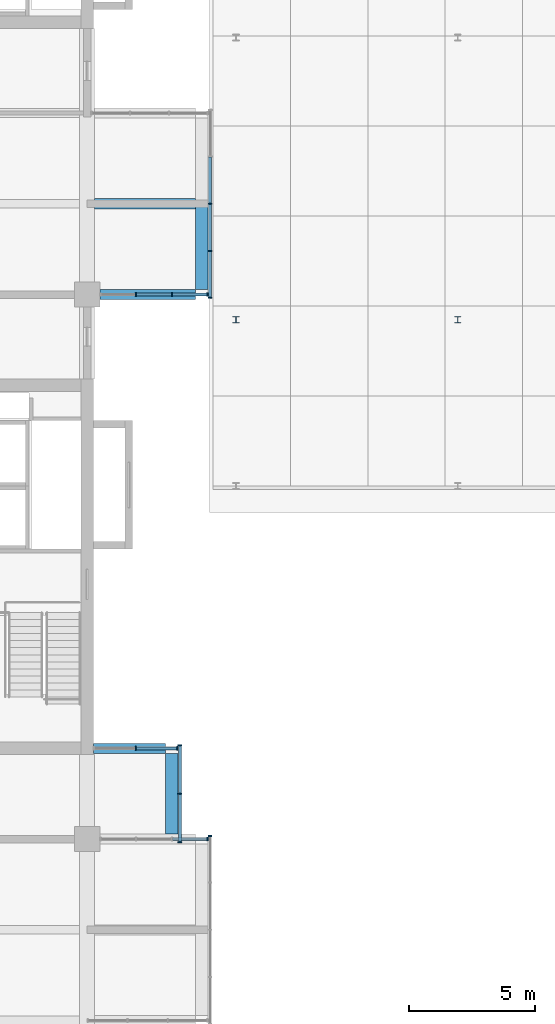
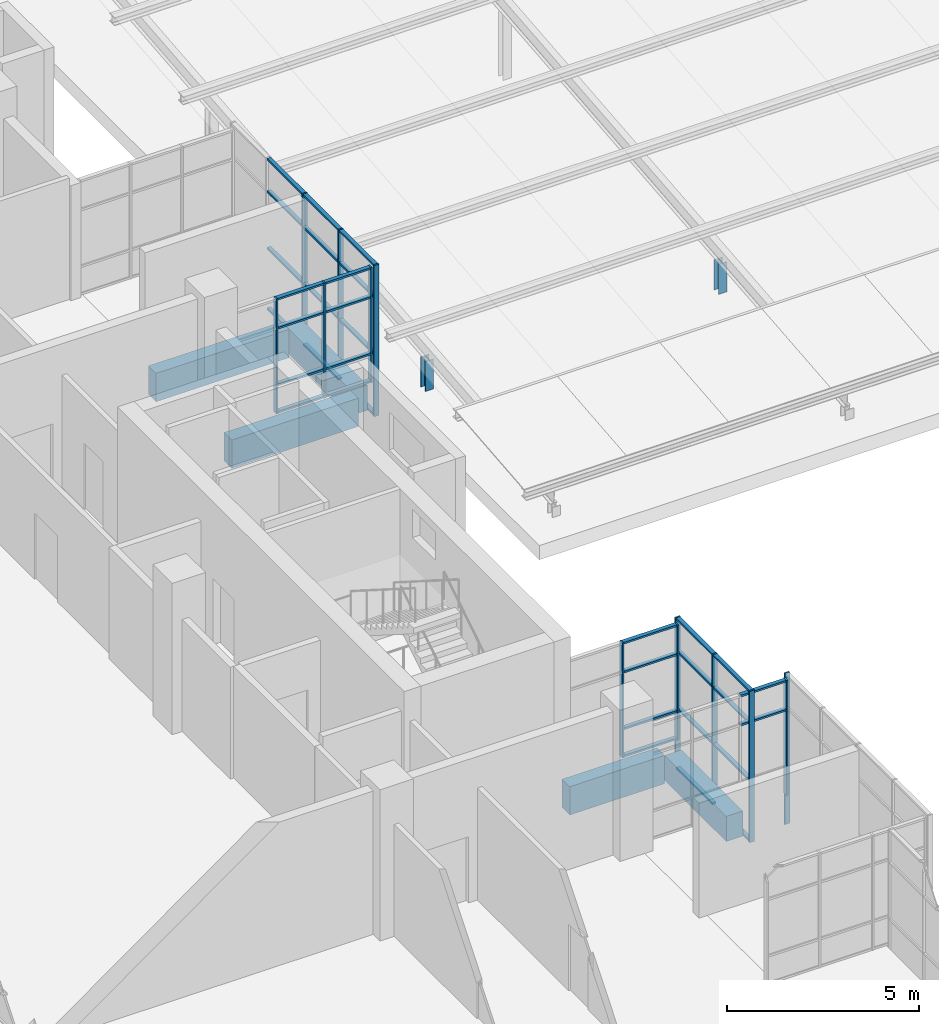
# One storey, part 14 of 44: 49 members, 5 beams, 6 elements without a shape of their own.
"""IFC4 building model written with IfcOpenShell, lengths in metres."""

import ifcopenshell
import ifcopenshell.guid

model = None  # the IFC model being written
_history = None  # IfcOwnerHistory: only IFC2X3 demands one
_inside = {}  # id of a spatial element -> (the spatial element, [elements in it])
_under = {}  # id of a project, library or spatial element -> (it, [spatial elements below it])
_declared = {}  # id of a project -> (the project, [libraries it declares])
_typed = {}  # id of a type object -> (the type object, [elements of that type])
_made_of = {}  # id of a material, layer set ... -> (it, [elements and type objects made of it])


def new_model(schema):
    """Start an empty IFC model of exactly this schema.

    Asked for "IFC4X3", IfcOpenShell would pick the latest addendum, in which some entities
    have other attributes; the version numbers below select the first issue.
    IFC2X3 requires an IfcOwnerHistory on every rooted entity: one is made here for all.
    """
    global model, _history
    if schema == "IFC4X3":
        model = ifcopenshell.file(schema_version=(4, 3, 0, 0))
    else:
        model = ifcopenshell.file(schema=schema)
    _inside.clear()
    _under.clear()
    _declared.clear()
    _typed.clear()
    _made_of.clear()
    _history = None
    if model.schema == "IFC2X3":
        org = make("IfcOrganization", Name="unknown")
        user = make(
            "IfcPersonAndOrganization",
            ThePerson=make("IfcPerson", FamilyName="unknown"),
            TheOrganization=org,
        )
        app = make(
            "IfcApplication",
            ApplicationDeveloper=org,
            Version="unknown",
            ApplicationFullName="unknown",
            ApplicationIdentifier="unknown",
        )
        _history = make(
            "IfcOwnerHistory",
            OwningUser=user,
            OwningApplication=app,
            ChangeAction="ADDED",
            CreationDate=0,
        )
    return model


def make(cls, **values):
    """One entity of the class cls with the attributes given. An attribute that is None is left unset."""
    return model.create_entity(
        cls, **{name: value for name, value in values.items() if value is not None}
    )


def rooted(cls, **values):
    """An entity with a GlobalId (a new one), such as an element, a storey or a relation."""
    return make(cls, GlobalId=ifcopenshell.guid.new(), OwnerHistory=_history, **values)


def si_unit(unit_type, name, prefix=None):
    """IfcSIUnit, for example si_unit("LENGTHUNIT", "METRE", prefix="MILLI")."""
    return make("IfcSIUnit", UnitType=unit_type, Prefix=prefix, Name=name)


def assignment(units):
    """IfcUnitAssignment: the units of a project."""
    return None if units is None else make("IfcUnitAssignment", Units=units)


def point(xyz):
    """IfcCartesianPoint."""
    return None if xyz is None else make("IfcCartesianPoint", Coordinates=xyz)


def direction(xyz):
    """IfcDirection."""
    return None if xyz is None else make("IfcDirection", DirectionRatios=xyz)


def frame(location, z_axis=None, x_axis=None):
    """IfcAxis2Placement3D, a coordinate frame: its origin and axes. An axis left out is left unset."""
    return make(
        "IfcAxis2Placement3D",
        Location=point(location),
        Axis=direction(z_axis),
        RefDirection=direction(x_axis),
    )


def frame_2d(location, x_axis=None):
    """IfcAxis2Placement2D, a coordinate frame in the plane: its origin and x axis."""
    return make(
        "IfcAxis2Placement2D", Location=point(location), RefDirection=direction(x_axis)
    )


def origin():
    """The frame at (0, 0, 0) with its axes left unset."""
    return frame((0.0, 0.0, 0.0))


def origin_2d():
    """The frame at (0, 0) in the plane with its x axis left unset."""
    return frame_2d((0.0, 0.0))


def place(relative_to, where):
    """IfcLocalPlacement: puts the frame where relative to a parent placement (None: the world)."""
    return make(
        "IfcLocalPlacement", PlacementRelTo=relative_to, RelativePlacement=where
    )


def context(
    kind, dimensions, precision=None, world=None, true_north=None, identifier=None
):
    """IfcGeometricRepresentationContext, for example the 3D "Model" context."""
    return make(
        "IfcGeometricRepresentationContext",
        ContextIdentifier=identifier,
        ContextType=kind,
        CoordinateSpaceDimension=dimensions,
        Precision=precision,
        WorldCoordinateSystem=world,
        TrueNorth=true_north,
    )


def subcontext(parent, identifier, kind, view, scale=None):
    """IfcGeometricRepresentationSubContext, for example "Body" below "Model"."""
    return make(
        "IfcGeometricRepresentationSubContext",
        ContextIdentifier=identifier,
        ContextType=kind,
        ParentContext=parent,
        TargetScale=scale,
        TargetView=view,
    )


def project(units=None, contexts=None):
    """IfcProject with its units and contexts."""
    return rooted(
        "IfcProject",
        Name="project",
        RepresentationContexts=contexts,
        UnitsInContext=assignment(units),
    )


def spatial(cls, under=None, at=None, **own):
    """A site, building, storey or space (cls), placed at a placement, below another one or the project."""
    s = rooted(cls, ObjectPlacement=at, **own)
    if under is not None:
        _under.setdefault(under.id(), (under, []))[1].append(s)
    return s


def profile(cls, at=None, kind="AREA", **sizes):
    """A parametric profile (cls). Its sizes go by their IFC names, for example OverallWidth=200.0."""
    return make(cls, ProfileType=kind, Position=at, **sizes)


def rectangle(**sizes):
    """IfcRectangleProfileDef."""
    return profile("IfcRectangleProfileDef", **sizes)


def i_section(**sizes):
    """IfcIShapeProfileDef."""
    return profile("IfcIShapeProfileDef", **sizes)


def extrude(swept, where, along, depth):
    """IfcExtrudedAreaSolid: the profile swept, set in the frame where, extruded along a direction by depth."""
    return make(
        "IfcExtrudedAreaSolid",
        SweptArea=swept,
        Position=where,
        ExtrudedDirection=direction(along),
        Depth=depth,
    )


def shape(context_of_items, identifier, shape_type, items):
    """IfcShapeRepresentation: the items that make up one representation, for example the "Body"."""
    return make(
        "IfcShapeRepresentation",
        ContextOfItems=context_of_items,
        RepresentationIdentifier=identifier,
        RepresentationType=shape_type,
        Items=items,
    )


def material(Name=None, Category=None):
    """IfcMaterial."""
    return make("IfcMaterial", Name=Name, Category=Category)


def layer(
    of_material, thickness, ventilated=None, Name=None, Category=None, Priority=None
):
    """IfcMaterialLayer: one layer of a wall or slab, of a material (None: an air gap)."""
    return make(
        "IfcMaterialLayer",
        Material=of_material,
        LayerThickness=thickness,
        IsVentilated=ventilated,
        Name=Name,
        Category=Category,
        Priority=Priority,
    )


def layer_set(layers, Name=None):
    """IfcMaterialLayerSet."""
    return make("IfcMaterialLayerSet", MaterialLayers=layers, LayerSetName=Name)


def material_profile(
    of_material, cross_section, Name=None, Category=None, Priority=None
):
    """IfcMaterialProfile: a cross section and its material."""
    return make(
        "IfcMaterialProfile",
        Name=Name,
        Material=of_material,
        Profile=cross_section,
        Priority=Priority,
        Category=Category,
    )


def profile_set(profiles, Name=None, composite=None):
    """IfcMaterialProfileSet."""
    return make(
        "IfcMaterialProfileSet",
        Name=Name,
        MaterialProfiles=profiles,
        CompositeProfile=composite,
    )


def made_of(thing, what):
    """Note that an element or type object is made of a material, layer set ...; save() writes the relation."""
    if what is not None:
        _made_of.setdefault(what.id(), (what, []))[1].append(thing)
    return thing


def type_object(cls, material=None, **own):
    """A type object (cls), such as IfcWallType, which elements share."""
    return made_of(rooted(cls, **own), material)


def element(
    cls,
    number,
    at=None,
    inside=None,
    cuts=None,
    type_object=None,
    material=None,
    context=None,
    identifier="Body",
    shape_type=None,
    held_by="IfcProductDefinitionShape",
    body=None,
    shapes=None,
    **own,
):
    """One element of the class cls, such as IfcWall. Its Tag is "e" and its number.

    at: its placement. inside: the storey or other place that contains it. cuts: it is an
    opening in that element (IfcRelVoidsElement). A single representation is given by context,
    identifier, shape_type and body (its items); several are given by shapes. held_by: the class
    of the entity that holds the representations. save() writes the other relations.
    """
    e = rooted(cls, Tag="e%d" % number, ObjectPlacement=at, **own)
    if body is not None:
        shapes = [shape(context, identifier, shape_type, body)]
    if shapes is not None:
        e.Representation = make(held_by, Representations=shapes)
    if inside is not None:
        _inside.setdefault(inside.id(), (inside, []))[1].append(e)
    if cuts is not None:
        rooted(
            "IfcRelVoidsElement", RelatingBuildingElement=cuts, RelatedOpeningElement=e
        )
    if type_object is not None:
        _typed.setdefault(type_object.id(), (type_object, []))[1].append(e)
    return made_of(e, material)


def aggregate(whole, parts):
    """IfcRelAggregates: a whole, such as a stair, and the parts it consists of."""
    return rooted("IfcRelAggregates", RelatingObject=whole, RelatedObjects=parts)


def save(model, path):
    """Write the relations noted so far, then the file.

    IfcRelAggregates (storeys below a building ...), IfcRelContainedInSpatialStructure (elements
    in a storey), IfcRelDefinesByType, IfcRelAssociatesMaterial and IfcRelDeclares: one each for
    every whole, place, type object, material and project.
    """
    for whole, parts in _under.values():
        aggregate(whole, parts)
    for where, things in _inside.values():
        rooted(
            "IfcRelContainedInSpatialStructure",
            RelatedElements=things,
            RelatingStructure=where,
        )
    for kind, things in _typed.values():
        rooted("IfcRelDefinesByType", RelatedObjects=things, RelatingType=kind)
    for what, things in _made_of.values():
        rooted("IfcRelAssociatesMaterial", RelatedObjects=things, RelatingMaterial=what)
    for by, libraries in _declared.values():
        rooted("IfcRelDeclares", RelatingContext=by, RelatedDefinitions=libraries)
    model.write(path)


model = new_model("IFC4")

# Units and contexts
model_context = context("Model", 3, precision=1e-05, world=origin(), true_north=direction((0.0, 1.0)))
body_context = subcontext(model_context, "Body", "Model", "MODEL_VIEW")
ifc_project = project(units=[si_unit("LENGTHUNIT", "METRE"), si_unit("AREAUNIT", "SQUARE_METRE"), si_unit("VOLUMEUNIT", "CUBIC_METRE"), si_unit("PLANEANGLEUNIT", "RADIAN"), si_unit("MASSUNIT", "GRAM", prefix="KILO")], contexts=[model_context])

# Site, building, storey
site_placement = place(None, origin())
site = spatial("IfcSite", under=ifc_project, at=site_placement, CompositionType="ELEMENT")
building_placement = place(site_placement, origin())
building = spatial("IfcBuilding", under=site, at=building_placement, Name="Basin Gate Institute", CompositionType="ELEMENT")
storey_placement = place(building_placement, frame((0.0, 0.0, 27.0)))
storey = spatial("IfcBuildingStorey", under=building, at=storey_placement, Name="L05", CompositionType="ELEMENT", Elevation=27.0)

# Beams
ifc_material_1 = material(Name="Concrete 50 MPa", Category="concrete")
ifc_material_profile_1 = material_profile(ifc_material_1, rectangle(XDim=0.39990234375, YDim=0.89990234375, at=origin_2d()), Name="Cantilever beam B3 400 x 900")
ifc_profile_set_1 = profile_set([ifc_material_profile_1], Name="Concrete 50 MPa")
beam_type_1 = type_object("IfcBeamType", Name="Cantilever beam B3 R120", PredefinedType="BEAM", material=ifc_profile_set_1)
beam_1_placement = place(storey_placement, frame((121.89990234375, 60.300048828125, -0.699951171875), z_axis=(-1.0, 0.0, 0.0), x_axis=(0.0, -1.0, 0.0)))
element("IfcBeam", 1, at=beam_1_placement, inside=storey, type_object=beam_type_1, material=ifc_profile_set_1, Name="BEAM/L05/E/CANT/08", PredefinedType="BEAM", context=body_context, shape_type="SweptSolid", body=[
    extrude(rectangle(XDim=0.39990234375, YDim=0.89990234375, at=origin_2d()), origin(), (0.0, 0.0, 1.0), 2.849853515625),
])
beam_2_placement = place(storey_placement, frame((123.10009765625, 78.300048828125, -0.699951171875), z_axis=(-1.0, 0.0, 0.0), x_axis=(0.0, -1.0, 0.0)))
element("IfcBeam", 2, at=beam_2_placement, inside=storey, type_object=beam_type_1, material=ifc_profile_set_1, Name="BEAM/L05/E/CANT/13", PredefinedType="BEAM", context=body_context, shape_type="SweptSolid", body=[
    extrude(rectangle(XDim=0.39990234375, YDim=0.89990234375, at=origin_2d()), origin(), (0.0, 0.0, 1.0), 3.800048828125),
])
beam_3_placement = place(storey_placement, frame((123.10009765625, 81.89990234375, -0.699951171875), z_axis=(-1.0, 0.0, 0.0), x_axis=(0.0, -1.0, 0.0)))
element("IfcBeam", 3, at=beam_3_placement, inside=storey, type_object=beam_type_1, material=ifc_profile_set_1, Name="BEAM/L05/E/CANT/14", PredefinedType="BEAM", context=body_context, shape_type="SweptSolid", body=[
    extrude(rectangle(XDim=0.39990234375, YDim=0.89990234375, at=origin_2d()), origin(), (0.0, 0.0, 1.0), 4.0),
])

# Curtain wall, member
ifc_material_2 = material(Name="Aluminium-framed glazing", Category="aluminium")
ifc_layer = layer(ifc_material_2, 0.14990234375)
ifc_layer_set = layer_set([ifc_layer], Name="Capsule front curtain wall CW1")
curtain_wall_type = type_object("IfcCurtainWallType", Name="Capsule front curtain wall CW1", PredefinedType="NOTDEFINED", material=ifc_layer_set)
curtain_wall_1_placement = place(storey_placement, origin())
curtain_wall_1 = element("IfcCurtainWall", 4, at=curtain_wall_1_placement, inside=storey, type_object=curtain_wall_type, material=ifc_layer_set, Name="Capsule front curtain wall E wing capsule end L05 line 7", PredefinedType="NOTDEFINED")
ifc_material_3 = material(Name="Aluminium", Category="aluminium")
ifc_material_profile_2 = material_profile(ifc_material_3, rectangle(XDim=0.14990234375, YDim=0.050048828125, at=origin_2d()), Name="Mullion MU1 150 x 50")
ifc_profile_set_2 = profile_set([ifc_material_profile_2], Name="Aluminium")
member_type_1 = type_object("IfcMemberType", Name="Mullion MU1", PredefinedType="MULLION", material=ifc_profile_set_2)
member_1_placement = place(storey_placement, frame((123.574951171875, 56.699951171875, 0.0), z_axis=(0.0, 0.0, 1.0), x_axis=(0.0, -1.0, 0.0)))
member_1 = element("IfcMember", 5, at=member_1_placement, type_object=member_type_1, material=ifc_profile_set_2, Name="CW1 mullion 1", PredefinedType="MULLION", context=body_context, shape_type="SweptSolid", body=[
    extrude(rectangle(XDim=0.14990234375, YDim=0.050048828125, at=origin_2d()), origin(), (0.0, 0.0, 1.0), 3.64990234375),
])

# Curtain wall, members
curtain_wall_2_placement = place(storey_placement, origin())
curtain_wall_2 = element("IfcCurtainWall", 6, at=curtain_wall_2_placement, inside=storey, type_object=curtain_wall_type, material=ifc_layer_set, Name="Capsule front curtain wall E wing capsule end L05 line 8", PredefinedType="NOTDEFINED")
member_2_placement = place(storey_placement, frame((122.375, 60.300048828125, 0.0), z_axis=(0.0, 0.0, 1.0), x_axis=(0.0, -1.0, 0.0)))
member_2 = element("IfcMember", 7, at=member_2_placement, type_object=member_type_1, material=ifc_profile_set_2, Name="CW1 mullion 1", PredefinedType="MULLION", context=body_context, shape_type="SweptSolid", body=[
    extrude(rectangle(XDim=0.14990234375, YDim=0.050048828125, at=origin_2d()), origin(), (0.0, 0.0, 1.0), 3.64990234375),
])
member_3_placement = place(storey_placement, frame((120.72509765625, 60.300048828125, 0.0), z_axis=(0.0, 0.0, 1.0), x_axis=(0.0, -1.0, 0.0)))
member_3 = element("IfcMember", 8, at=member_3_placement, type_object=member_type_1, material=ifc_profile_set_2, Name="CW1 mullion 2", PredefinedType="MULLION", context=body_context, shape_type="SweptSolid", body=[
    extrude(rectangle(XDim=0.14990234375, YDim=0.050048828125, at=origin_2d()), origin(), (0.0, 0.0, 1.0), 3.64990234375),
])

curtain_wall_3_placement = place(storey_placement, origin())
curtain_wall_3 = element("IfcCurtainWall", 9, at=curtain_wall_3_placement, inside=storey, type_object=curtain_wall_type, material=ifc_layer_set, Name="Capsule front curtain wall E wing capsule end L05 line 13", PredefinedType="NOTDEFINED")
member_4_placement = place(storey_placement, frame((123.574951171875, 78.300048828125, 0.0), z_axis=(0.0, 0.0, 1.0), x_axis=(0.0, -1.0, 0.0)))
member_4 = element("IfcMember", 10, at=member_4_placement, type_object=member_type_1, material=ifc_profile_set_2, Name="CW1 mullion 1", PredefinedType="MULLION", context=body_context, shape_type="SweptSolid", body=[
    extrude(rectangle(XDim=0.14990234375, YDim=0.050048828125, at=origin_2d()), origin(), (0.0, 0.0, 1.0), 3.64990234375),
])
member_5_placement = place(storey_placement, frame((122.166748046875, 78.300048828125, 0.0), z_axis=(0.0, 0.0, 1.0), x_axis=(0.0, -1.0, 0.0)))
member_5 = element("IfcMember", 11, at=member_5_placement, type_object=member_type_1, material=ifc_profile_set_2, Name="CW1 mullion 2", PredefinedType="MULLION", context=body_context, shape_type="SweptSolid", body=[
    extrude(rectangle(XDim=0.14990234375, YDim=0.050048828125, at=origin_2d()), origin(), (0.0, 0.0, 1.0), 3.64990234375),
])
member_6_placement = place(storey_placement, frame((120.7333984375, 78.300048828125, 0.0), z_axis=(0.0, 0.0, 1.0), x_axis=(0.0, -1.0, 0.0)))
member_6 = element("IfcMember", 12, at=member_6_placement, type_object=member_type_1, material=ifc_profile_set_2, Name="CW1 mullion 3", PredefinedType="MULLION", context=body_context, shape_type="SweptSolid", body=[
    extrude(rectangle(XDim=0.14990234375, YDim=0.050048828125, at=origin_2d()), origin(), (0.0, 0.0, 1.0), 3.64990234375),
])

# Curtain wall, member
curtain_wall_4_placement = place(storey_placement, origin())
curtain_wall_4 = element("IfcCurtainWall", 13, at=curtain_wall_4_placement, inside=storey, type_object=curtain_wall_type, material=ifc_layer_set, Name="Capsule front curtain wall E wing capsule 1 L05 front 2", PredefinedType="NOTDEFINED")
member_7_placement = place(storey_placement, frame((123.675048828125, 56.824951171875, -1.050048828125), z_axis=(0.0, 0.0, 1.0), x_axis=(-1.0, 0.0, 0.0)))
member_7 = element("IfcMember", 14, at=member_7_placement, type_object=member_type_1, material=ifc_profile_set_2, Name="CW1 mullion 5", PredefinedType="MULLION", context=body_context, shape_type="SweptSolid", body=[
    extrude(rectangle(XDim=0.14990234375, YDim=0.050048828125, at=origin_2d()), origin(), (0.0, 0.0, 1.0), 4.800048828125),
])
aggregate(curtain_wall_4, [member_7])

# Curtain wall, members
curtain_wall_5_placement = place(storey_placement, origin())
curtain_wall_5 = element("IfcCurtainWall", 15, at=curtain_wall_5_placement, inside=storey, type_object=curtain_wall_type, material=ifc_layer_set, Name="Capsule front curtain wall E wing capsule 1 L05 front 4", PredefinedType="NOTDEFINED")
member_8_placement = place(storey_placement, frame((122.47509765625, 56.574951171875, -1.050048828125), z_axis=(0.0, 0.0, 1.0), x_axis=(-1.0, 0.0, 0.0)))
member_8 = element("IfcMember", 16, at=member_8_placement, type_object=member_type_1, material=ifc_profile_set_2, Name="CW1 mullion 1", PredefinedType="MULLION", context=body_context, shape_type="SweptSolid", body=[
    extrude(rectangle(XDim=0.14990234375, YDim=0.050048828125, at=origin_2d()), origin(), (0.0, 0.0, 1.0), 4.800048828125),
])
member_9_placement = place(storey_placement, frame((122.47509765625, 58.5, -1.050048828125), z_axis=(0.0, 0.0, 1.0), x_axis=(-1.0, 0.0, 0.0)))
member_9 = element("IfcMember", 17, at=member_9_placement, type_object=member_type_1, material=ifc_profile_set_2, Name="CW1 mullion 2", PredefinedType="MULLION", context=body_context, shape_type="SweptSolid", body=[
    extrude(rectangle(XDim=0.14990234375, YDim=0.050048828125, at=origin_2d()), origin(), (0.0, 0.0, 1.0), 4.800048828125),
])
member_10_placement = place(storey_placement, frame((122.47509765625, 60.425048828125, -1.050048828125), z_axis=(0.0, 0.0, 1.0), x_axis=(-1.0, 0.0, 0.0)))
member_10 = element("IfcMember", 18, at=member_10_placement, type_object=member_type_1, material=ifc_profile_set_2, Name="CW1 mullion 3", PredefinedType="MULLION", context=body_context, shape_type="SweptSolid", body=[
    extrude(rectangle(XDim=0.14990234375, YDim=0.050048828125, at=origin_2d()), origin(), (0.0, 0.0, 1.0), 4.800048828125),
])

curtain_wall_6_placement = place(storey_placement, origin())
curtain_wall_6 = element("IfcCurtainWall", 19, at=curtain_wall_6_placement, inside=storey, type_object=curtain_wall_type, material=ifc_layer_set, Name="Capsule front curtain wall E wing capsule 2 L05 front 2", PredefinedType="NOTDEFINED")
member_11_placement = place(storey_placement, frame((123.675048828125, 78.175048828125, -1.050048828125), z_axis=(0.0, 0.0, 1.0), x_axis=(-1.0, 0.0, 0.0)))
member_11 = element("IfcMember", 20, at=member_11_placement, type_object=member_type_1, material=ifc_profile_set_2, Name="CW1 mullion 1", PredefinedType="MULLION", context=body_context, shape_type="SweptSolid", body=[
    extrude(rectangle(XDim=0.14990234375, YDim=0.050048828125, at=origin_2d()), origin(), (0.0, 0.0, 1.0), 4.800048828125),
])
member_12_placement = place(storey_placement, frame((123.675048828125, 80.02490234375, -1.050048828125), z_axis=(0.0, 0.0, 1.0), x_axis=(-1.0, 0.0, 0.0)))
member_12 = element("IfcMember", 21, at=member_12_placement, type_object=member_type_1, material=ifc_profile_set_2, Name="CW1 mullion 2", PredefinedType="MULLION", context=body_context, shape_type="SweptSolid", body=[
    extrude(rectangle(XDim=0.14990234375, YDim=0.050048828125, at=origin_2d()), origin(), (0.0, 0.0, 1.0), 4.800048828125),
])
member_13_placement = place(storey_placement, frame((123.675048828125, 81.89990234375, -1.050048828125), z_axis=(0.0, 0.0, 1.0), x_axis=(-1.0, 0.0, 0.0)))
member_13 = element("IfcMember", 22, at=member_13_placement, type_object=member_type_1, material=ifc_profile_set_2, Name="CW1 mullion 3", PredefinedType="MULLION", context=body_context, shape_type="SweptSolid", body=[
    extrude(rectangle(XDim=0.14990234375, YDim=0.050048828125, at=origin_2d()), origin(), (0.0, 0.0, 1.0), 4.800048828125),
])

# Beams
ifc_material_4 = material(Name="Concrete 50 MPa", Category="concrete")
ifc_material_profile_3 = material_profile(ifc_material_4, rectangle(XDim=0.5, YDim=0.800048828125, at=origin_2d()), Name="Tip beam TB1 500 x 800")
ifc_profile_set_3 = profile_set([ifc_material_profile_3], Name="Concrete 50 MPa")
beam_type_2 = type_object("IfcBeamType", Name="Tip beam TB1 R120", PredefinedType="SPANDREL", material=ifc_profile_set_3)
beam_4_placement = place(storey_placement, frame((122.14990234375, 56.89990234375, -0.64990234375), z_axis=(0.0, 1.0, 0.0), x_axis=(-1.0, 0.0, 0.0)))
element("IfcBeam", 23, at=beam_4_placement, inside=storey, type_object=beam_type_2, material=ifc_profile_set_3, Name="BEAM/L05/E/TIP/4", PredefinedType="SPANDREL", context=body_context, shape_type="SweptSolid", body=[
    extrude(rectangle(XDim=0.5, YDim=0.800048828125, at=origin_2d()), origin(), (0.0, 0.0, 1.0), 3.2001953125),
])
beam_5_placement = place(storey_placement, frame((123.35009765625, 78.5, -0.64990234375), z_axis=(0.0, 1.0, 0.0), x_axis=(-1.0, 0.0, 0.0)))
element("IfcBeam", 24, at=beam_5_placement, inside=storey, type_object=beam_type_2, material=ifc_profile_set_3, Name="BEAM/L05/E/TIP/6", PredefinedType="SPANDREL", context=body_context, shape_type="SweptSolid", body=[
    extrude(rectangle(XDim=0.5, YDim=0.800048828125, at=origin_2d()), origin(), (0.0, 0.0, 1.0), 3.39990234375),
])

# Member
ifc_material_5 = material(Name="Aluminium", Category="aluminium")
ifc_material_profile_4 = material_profile(ifc_material_5, rectangle(XDim=0.1201171875, YDim=0.06005859375, at=origin_2d()), Name="Transom TR1 120 x 60")
ifc_profile_set_4 = profile_set([ifc_material_profile_4], Name="Aluminium")
member_type_2 = type_object("IfcMemberType", Name="Transom TR1", PredefinedType="USERDEFINED", material=ifc_profile_set_4)
member_14_placement = place(storey_placement, frame((123.550048828125, 56.699951171875, 2.699951171875), z_axis=(-1.0, 0.0, 0.0), x_axis=(0.0, -1.0, 0.0)))
member_14 = element("IfcMember", 25, at=member_14_placement, type_object=member_type_2, material=ifc_profile_set_4, Name="CW1 transom 1.3", ObjectType="TRANSOM", PredefinedType="USERDEFINED", context=body_context, shape_type="SweptSolid", body=[
    extrude(rectangle(XDim=0.1201171875, YDim=0.06005859375, at=origin_2d()), origin(), (0.0, 0.0, 1.0), 1.3583984375),
])

member_15_placement = place(storey_placement, frame((123.550048828125, 56.699951171875, 3.6201171875), z_axis=(-1.0, 0.0, 0.0), x_axis=(0.0, -1.0, 0.0)))
member_15 = element("IfcMember", 26, at=member_15_placement, type_object=member_type_2, material=ifc_profile_set_4, Name="CW1 transom 1.4", ObjectType="TRANSOM", PredefinedType="USERDEFINED", context=body_context, shape_type="SweptSolid", body=[
    extrude(rectangle(XDim=0.1201171875, YDim=0.06005859375, at=origin_2d()), origin(), (0.0, 0.0, 1.0), 1.3583984375),
])

aggregate(curtain_wall_1, [member_1, member_14, member_15])

member_16_placement = place(storey_placement, frame((122.35009765625, 60.300048828125, 0.030029296875), z_axis=(-1.0, 0.0, 0.0), x_axis=(0.0, -1.0, 0.0)))
member_16 = element("IfcMember", 27, at=member_16_placement, type_object=member_type_2, material=ifc_profile_set_4, Name="CW1 transom 1.1", ObjectType="TRANSOM", PredefinedType="USERDEFINED", context=body_context, shape_type="SweptSolid", body=[
    extrude(rectangle(XDim=0.1201171875, YDim=0.06005859375, at=origin_2d()), origin(), (0.0, 0.0, 1.0), 1.60009765625),
])

member_17_placement = place(storey_placement, frame((122.35009765625, 60.300048828125, 0.89990234375), z_axis=(-1.0, 0.0, 0.0), x_axis=(0.0, -1.0, 0.0)))
member_17 = element("IfcMember", 28, at=member_17_placement, type_object=member_type_2, material=ifc_profile_set_4, Name="CW1 transom 1.2", ObjectType="TRANSOM", PredefinedType="USERDEFINED", context=body_context, shape_type="SweptSolid", body=[
    extrude(rectangle(XDim=0.1201171875, YDim=0.06005859375, at=origin_2d()), origin(), (0.0, 0.0, 1.0), 1.60009765625),
])

member_18_placement = place(storey_placement, frame((122.35009765625, 60.300048828125, 2.699951171875), z_axis=(-1.0, 0.0, 0.0), x_axis=(0.0, -1.0, 0.0)))
member_18 = element("IfcMember", 29, at=member_18_placement, type_object=member_type_2, material=ifc_profile_set_4, Name="CW1 transom 1.3", ObjectType="TRANSOM", PredefinedType="USERDEFINED", context=body_context, shape_type="SweptSolid", body=[
    extrude(rectangle(XDim=0.1201171875, YDim=0.06005859375, at=origin_2d()), origin(), (0.0, 0.0, 1.0), 1.60009765625),
])

member_19_placement = place(storey_placement, frame((122.35009765625, 60.300048828125, 3.6201171875), z_axis=(-1.0, 0.0, 0.0), x_axis=(0.0, -1.0, 0.0)))
member_19 = element("IfcMember", 30, at=member_19_placement, type_object=member_type_2, material=ifc_profile_set_4, Name="CW1 transom 1.4", ObjectType="TRANSOM", PredefinedType="USERDEFINED", context=body_context, shape_type="SweptSolid", body=[
    extrude(rectangle(XDim=0.1201171875, YDim=0.06005859375, at=origin_2d()), origin(), (0.0, 0.0, 1.0), 1.60009765625),
])

aggregate(curtain_wall_2, [member_2, member_3, member_16, member_17, member_18, member_19])

member_20_placement = place(storey_placement, frame((123.550048828125, 78.300048828125, 0.030029296875), z_axis=(-1.0, 0.0, 0.0), x_axis=(0.0, -1.0, 0.0)))
member_20 = element("IfcMember", 31, at=member_20_placement, type_object=member_type_2, material=ifc_profile_set_4, Name="CW1 transom 1.1", ObjectType="TRANSOM", PredefinedType="USERDEFINED", context=body_context, shape_type="SweptSolid", body=[
    extrude(rectangle(XDim=0.1201171875, YDim=0.06005859375, at=origin_2d()), origin(), (0.0, 0.0, 1.0), 1.3583984375),
])

member_21_placement = place(storey_placement, frame((123.550048828125, 78.300048828125, 0.89990234375), z_axis=(-1.0, 0.0, 0.0), x_axis=(0.0, -1.0, 0.0)))
member_21 = element("IfcMember", 32, at=member_21_placement, type_object=member_type_2, material=ifc_profile_set_4, Name="CW1 transom 1.2", ObjectType="TRANSOM", PredefinedType="USERDEFINED", context=body_context, shape_type="SweptSolid", body=[
    extrude(rectangle(XDim=0.1201171875, YDim=0.06005859375, at=origin_2d()), origin(), (0.0, 0.0, 1.0), 1.3583984375),
])

member_22_placement = place(storey_placement, frame((123.550048828125, 78.300048828125, 2.699951171875), z_axis=(-1.0, 0.0, 0.0), x_axis=(0.0, -1.0, 0.0)))
member_22 = element("IfcMember", 33, at=member_22_placement, type_object=member_type_2, material=ifc_profile_set_4, Name="CW1 transom 1.3", ObjectType="TRANSOM", PredefinedType="USERDEFINED", context=body_context, shape_type="SweptSolid", body=[
    extrude(rectangle(XDim=0.1201171875, YDim=0.06005859375, at=origin_2d()), origin(), (0.0, 0.0, 1.0), 1.3583984375),
])

member_23_placement = place(storey_placement, frame((123.550048828125, 78.300048828125, 3.6201171875), z_axis=(-1.0, 0.0, 0.0), x_axis=(0.0, -1.0, 0.0)))
member_23 = element("IfcMember", 34, at=member_23_placement, type_object=member_type_2, material=ifc_profile_set_4, Name="CW1 transom 1.4", ObjectType="TRANSOM", PredefinedType="USERDEFINED", context=body_context, shape_type="SweptSolid", body=[
    extrude(rectangle(XDim=0.1201171875, YDim=0.06005859375, at=origin_2d()), origin(), (0.0, 0.0, 1.0), 1.3583984375),
])

member_24_placement = place(storey_placement, frame((122.1416015625, 78.300048828125, 0.030029296875), z_axis=(-1.0, 0.0, 0.0), x_axis=(0.0, -1.0, 0.0)))
member_24 = element("IfcMember", 35, at=member_24_placement, type_object=member_type_2, material=ifc_profile_set_4, Name="CW1 transom 2.1", ObjectType="TRANSOM", PredefinedType="USERDEFINED", context=body_context, shape_type="SweptSolid", body=[
    extrude(rectangle(XDim=0.1201171875, YDim=0.06005859375, at=origin_2d()), origin(), (0.0, 0.0, 1.0), 1.38330078125),
])

member_25_placement = place(storey_placement, frame((122.1416015625, 78.300048828125, 0.89990234375), z_axis=(-1.0, 0.0, 0.0), x_axis=(0.0, -1.0, 0.0)))
member_25 = element("IfcMember", 36, at=member_25_placement, type_object=member_type_2, material=ifc_profile_set_4, Name="CW1 transom 2.2", ObjectType="TRANSOM", PredefinedType="USERDEFINED", context=body_context, shape_type="SweptSolid", body=[
    extrude(rectangle(XDim=0.1201171875, YDim=0.06005859375, at=origin_2d()), origin(), (0.0, 0.0, 1.0), 1.38330078125),
])

member_26_placement = place(storey_placement, frame((122.1416015625, 78.300048828125, 2.699951171875), z_axis=(-1.0, 0.0, 0.0), x_axis=(0.0, -1.0, 0.0)))
member_26 = element("IfcMember", 37, at=member_26_placement, type_object=member_type_2, material=ifc_profile_set_4, Name="CW1 transom 2.3", ObjectType="TRANSOM", PredefinedType="USERDEFINED", context=body_context, shape_type="SweptSolid", body=[
    extrude(rectangle(XDim=0.1201171875, YDim=0.06005859375, at=origin_2d()), origin(), (0.0, 0.0, 1.0), 1.38330078125),
])

member_27_placement = place(storey_placement, frame((122.1416015625, 78.300048828125, 3.6201171875), z_axis=(-1.0, 0.0, 0.0), x_axis=(0.0, -1.0, 0.0)))
member_27 = element("IfcMember", 38, at=member_27_placement, type_object=member_type_2, material=ifc_profile_set_4, Name="CW1 transom 2.4", ObjectType="TRANSOM", PredefinedType="USERDEFINED", context=body_context, shape_type="SweptSolid", body=[
    extrude(rectangle(XDim=0.1201171875, YDim=0.06005859375, at=origin_2d()), origin(), (0.0, 0.0, 1.0), 1.38330078125),
])

aggregate(curtain_wall_3, [member_4, member_5, member_6, member_20, member_21, member_22, member_23, member_24, member_25, member_26, member_27])

member_28_placement = place(storey_placement, frame((122.47509765625, 56.60009765625, -1.02001953125), z_axis=(0.0, 1.0, 0.0), x_axis=(-1.0, 0.0, 0.0)))
member_28 = element("IfcMember", 39, at=member_28_placement, type_object=member_type_2, material=ifc_profile_set_4, Name="CW1 transom 1.1", ObjectType="TRANSOM", PredefinedType="USERDEFINED", context=body_context, shape_type="SweptSolid", body=[
    extrude(rectangle(XDim=0.1201171875, YDim=0.06005859375, at=origin_2d()), origin(), (0.0, 0.0, 1.0), 1.875),
])

member_29_placement = place(storey_placement, frame((122.47509765625, 56.60009765625, 0.89990234375), z_axis=(0.0, 1.0, 0.0), x_axis=(-1.0, 0.0, 0.0)))
member_29 = element("IfcMember", 40, at=member_29_placement, type_object=member_type_2, material=ifc_profile_set_4, Name="CW1 transom 1.2", ObjectType="TRANSOM", PredefinedType="USERDEFINED", context=body_context, shape_type="SweptSolid", body=[
    extrude(rectangle(XDim=0.1201171875, YDim=0.06005859375, at=origin_2d()), origin(), (0.0, 0.0, 1.0), 1.875),
])

member_30_placement = place(storey_placement, frame((122.47509765625, 56.60009765625, 2.699951171875), z_axis=(0.0, 1.0, 0.0), x_axis=(-1.0, 0.0, 0.0)))
member_30 = element("IfcMember", 41, at=member_30_placement, type_object=member_type_2, material=ifc_profile_set_4, Name="CW1 transom 1.3", ObjectType="TRANSOM", PredefinedType="USERDEFINED", context=body_context, shape_type="SweptSolid", body=[
    extrude(rectangle(XDim=0.1201171875, YDim=0.06005859375, at=origin_2d()), origin(), (0.0, 0.0, 1.0), 1.875),
])

member_31_placement = place(storey_placement, frame((122.47509765625, 56.60009765625, 3.719970703125), z_axis=(0.0, 1.0, 0.0), x_axis=(-1.0, 0.0, 0.0)))
member_31 = element("IfcMember", 42, at=member_31_placement, type_object=member_type_2, material=ifc_profile_set_4, Name="CW1 transom 1.4", ObjectType="TRANSOM", PredefinedType="USERDEFINED", context=body_context, shape_type="SweptSolid", body=[
    extrude(rectangle(XDim=0.1201171875, YDim=0.06005859375, at=origin_2d()), origin(), (0.0, 0.0, 1.0), 1.875),
])

member_32_placement = place(storey_placement, frame((122.47509765625, 58.52490234375, -1.02001953125), z_axis=(0.0, 1.0, 0.0), x_axis=(-1.0, 0.0, 0.0)))
member_32 = element("IfcMember", 43, at=member_32_placement, type_object=member_type_2, material=ifc_profile_set_4, Name="CW1 transom 2.1", ObjectType="TRANSOM", PredefinedType="USERDEFINED", context=body_context, shape_type="SweptSolid", body=[
    extrude(rectangle(XDim=0.1201171875, YDim=0.06005859375, at=origin_2d()), origin(), (0.0, 0.0, 1.0), 1.875),
])

member_33_placement = place(storey_placement, frame((122.47509765625, 58.52490234375, 0.89990234375), z_axis=(0.0, 1.0, 0.0), x_axis=(-1.0, 0.0, 0.0)))
member_33 = element("IfcMember", 44, at=member_33_placement, type_object=member_type_2, material=ifc_profile_set_4, Name="CW1 transom 2.2", ObjectType="TRANSOM", PredefinedType="USERDEFINED", context=body_context, shape_type="SweptSolid", body=[
    extrude(rectangle(XDim=0.1201171875, YDim=0.06005859375, at=origin_2d()), origin(), (0.0, 0.0, 1.0), 1.875),
])

member_34_placement = place(storey_placement, frame((122.47509765625, 58.52490234375, 2.699951171875), z_axis=(0.0, 1.0, 0.0), x_axis=(-1.0, 0.0, 0.0)))
member_34 = element("IfcMember", 45, at=member_34_placement, type_object=member_type_2, material=ifc_profile_set_4, Name="CW1 transom 2.3", ObjectType="TRANSOM", PredefinedType="USERDEFINED", context=body_context, shape_type="SweptSolid", body=[
    extrude(rectangle(XDim=0.1201171875, YDim=0.06005859375, at=origin_2d()), origin(), (0.0, 0.0, 1.0), 1.875),
])

member_35_placement = place(storey_placement, frame((122.47509765625, 58.52490234375, 3.719970703125), z_axis=(0.0, 1.0, 0.0), x_axis=(-1.0, 0.0, 0.0)))
member_35 = element("IfcMember", 46, at=member_35_placement, type_object=member_type_2, material=ifc_profile_set_4, Name="CW1 transom 2.4", ObjectType="TRANSOM", PredefinedType="USERDEFINED", context=body_context, shape_type="SweptSolid", body=[
    extrude(rectangle(XDim=0.1201171875, YDim=0.06005859375, at=origin_2d()), origin(), (0.0, 0.0, 1.0), 1.875),
])

aggregate(curtain_wall_5, [member_8, member_9, member_10, member_28, member_29, member_30, member_31, member_32, member_33, member_34, member_35])

member_36_placement = place(storey_placement, frame((123.675048828125, 78.199951171875, -1.02001953125), z_axis=(0.0, 1.0, 0.0), x_axis=(-1.0, 0.0, 0.0)))
member_36 = element("IfcMember", 47, at=member_36_placement, type_object=member_type_2, material=ifc_profile_set_4, Name="CW1 transom 1.1", ObjectType="TRANSOM", PredefinedType="USERDEFINED", context=body_context, shape_type="SweptSolid", body=[
    extrude(rectangle(XDim=0.1201171875, YDim=0.06005859375, at=origin_2d()), origin(), (0.0, 0.0, 1.0), 1.800048828125),
])

member_37_placement = place(storey_placement, frame((123.675048828125, 78.199951171875, 0.89990234375), z_axis=(0.0, 1.0, 0.0), x_axis=(-1.0, 0.0, 0.0)))
member_37 = element("IfcMember", 48, at=member_37_placement, type_object=member_type_2, material=ifc_profile_set_4, Name="CW1 transom 1.2", ObjectType="TRANSOM", PredefinedType="USERDEFINED", context=body_context, shape_type="SweptSolid", body=[
    extrude(rectangle(XDim=0.1201171875, YDim=0.06005859375, at=origin_2d()), origin(), (0.0, 0.0, 1.0), 1.800048828125),
])

member_38_placement = place(storey_placement, frame((123.675048828125, 78.199951171875, 2.699951171875), z_axis=(0.0, 1.0, 0.0), x_axis=(-1.0, 0.0, 0.0)))
member_38 = element("IfcMember", 49, at=member_38_placement, type_object=member_type_2, material=ifc_profile_set_4, Name="CW1 transom 1.3", ObjectType="TRANSOM", PredefinedType="USERDEFINED", context=body_context, shape_type="SweptSolid", body=[
    extrude(rectangle(XDim=0.1201171875, YDim=0.06005859375, at=origin_2d()), origin(), (0.0, 0.0, 1.0), 1.800048828125),
])

member_39_placement = place(storey_placement, frame((123.675048828125, 78.199951171875, 3.719970703125), z_axis=(0.0, 1.0, 0.0), x_axis=(-1.0, 0.0, 0.0)))
member_39 = element("IfcMember", 50, at=member_39_placement, type_object=member_type_2, material=ifc_profile_set_4, Name="CW1 transom 1.4", ObjectType="TRANSOM", PredefinedType="USERDEFINED", context=body_context, shape_type="SweptSolid", body=[
    extrude(rectangle(XDim=0.1201171875, YDim=0.06005859375, at=origin_2d()), origin(), (0.0, 0.0, 1.0), 1.800048828125),
])

member_40_placement = place(storey_placement, frame((123.675048828125, 80.050048828125, -1.02001953125), z_axis=(0.0, 1.0, 0.0), x_axis=(-1.0, 0.0, 0.0)))
member_40 = element("IfcMember", 51, at=member_40_placement, type_object=member_type_2, material=ifc_profile_set_4, Name="CW1 transom 2.1", ObjectType="TRANSOM", PredefinedType="USERDEFINED", context=body_context, shape_type="SweptSolid", body=[
    extrude(rectangle(XDim=0.1201171875, YDim=0.06005859375, at=origin_2d()), origin(), (0.0, 0.0, 1.0), 1.824951171875),
])

member_41_placement = place(storey_placement, frame((123.675048828125, 80.050048828125, 0.89990234375), z_axis=(0.0, 1.0, 0.0), x_axis=(-1.0, 0.0, 0.0)))
member_41 = element("IfcMember", 52, at=member_41_placement, type_object=member_type_2, material=ifc_profile_set_4, Name="CW1 transom 2.2", ObjectType="TRANSOM", PredefinedType="USERDEFINED", context=body_context, shape_type="SweptSolid", body=[
    extrude(rectangle(XDim=0.1201171875, YDim=0.06005859375, at=origin_2d()), origin(), (0.0, 0.0, 1.0), 1.824951171875),
])

member_42_placement = place(storey_placement, frame((123.675048828125, 80.050048828125, 2.699951171875), z_axis=(0.0, 1.0, 0.0), x_axis=(-1.0, 0.0, 0.0)))
member_42 = element("IfcMember", 53, at=member_42_placement, type_object=member_type_2, material=ifc_profile_set_4, Name="CW1 transom 2.3", ObjectType="TRANSOM", PredefinedType="USERDEFINED", context=body_context, shape_type="SweptSolid", body=[
    extrude(rectangle(XDim=0.1201171875, YDim=0.06005859375, at=origin_2d()), origin(), (0.0, 0.0, 1.0), 1.824951171875),
])

member_43_placement = place(storey_placement, frame((123.675048828125, 80.050048828125, 3.719970703125), z_axis=(0.0, 1.0, 0.0), x_axis=(-1.0, 0.0, 0.0)))
member_43 = element("IfcMember", 54, at=member_43_placement, type_object=member_type_2, material=ifc_profile_set_4, Name="CW1 transom 2.4", ObjectType="TRANSOM", PredefinedType="USERDEFINED", context=body_context, shape_type="SweptSolid", body=[
    extrude(rectangle(XDim=0.1201171875, YDim=0.06005859375, at=origin_2d()), origin(), (0.0, 0.0, 1.0), 1.824951171875),
])

member_44_placement = place(storey_placement, frame((123.675048828125, 81.925048828125, -1.02001953125), z_axis=(0.0, 1.0, 0.0), x_axis=(-1.0, 0.0, 0.0)))
member_44 = element("IfcMember", 55, at=member_44_placement, type_object=member_type_2, material=ifc_profile_set_4, Name="CW1 transom 3.1", ObjectType="TRANSOM", PredefinedType="USERDEFINED", context=body_context, shape_type="SweptSolid", body=[
    extrude(rectangle(XDim=0.1201171875, YDim=0.06005859375, at=origin_2d()), origin(), (0.0, 0.0, 1.0), 1.824951171875),
])

member_45_placement = place(storey_placement, frame((123.675048828125, 81.925048828125, 0.89990234375), z_axis=(0.0, 1.0, 0.0), x_axis=(-1.0, 0.0, 0.0)))
member_45 = element("IfcMember", 56, at=member_45_placement, type_object=member_type_2, material=ifc_profile_set_4, Name="CW1 transom 3.2", ObjectType="TRANSOM", PredefinedType="USERDEFINED", context=body_context, shape_type="SweptSolid", body=[
    extrude(rectangle(XDim=0.1201171875, YDim=0.06005859375, at=origin_2d()), origin(), (0.0, 0.0, 1.0), 1.824951171875),
])

member_46_placement = place(storey_placement, frame((123.675048828125, 81.925048828125, 2.699951171875), z_axis=(0.0, 1.0, 0.0), x_axis=(-1.0, 0.0, 0.0)))
member_46 = element("IfcMember", 57, at=member_46_placement, type_object=member_type_2, material=ifc_profile_set_4, Name="CW1 transom 3.3", ObjectType="TRANSOM", PredefinedType="USERDEFINED", context=body_context, shape_type="SweptSolid", body=[
    extrude(rectangle(XDim=0.1201171875, YDim=0.06005859375, at=origin_2d()), origin(), (0.0, 0.0, 1.0), 1.824951171875),
])

member_47_placement = place(storey_placement, frame((123.675048828125, 81.925048828125, 3.719970703125), z_axis=(0.0, 1.0, 0.0), x_axis=(-1.0, 0.0, 0.0)))
member_47 = element("IfcMember", 58, at=member_47_placement, type_object=member_type_2, material=ifc_profile_set_4, Name="CW1 transom 3.4", ObjectType="TRANSOM", PredefinedType="USERDEFINED", context=body_context, shape_type="SweptSolid", body=[
    extrude(rectangle(XDim=0.1201171875, YDim=0.06005859375, at=origin_2d()), origin(), (0.0, 0.0, 1.0), 1.824951171875),
])

aggregate(curtain_wall_6, [member_11, member_12, member_13, member_36, member_37, member_38, member_39, member_40, member_41, member_42, member_43, member_44, member_45, member_46, member_47])

# Members
ifc_material_6 = material(Name="Structural steel SN490", Category="steel")
ifc_material_profile_5 = material_profile(ifc_material_6, i_section(OverallWidth=0.25, OverallDepth=0.25, WebThickness=0.009033203125, FlangeThickness=0.013916015625, FilletRadius=0.01611328125, at=origin_2d()), Name="H250x250")
ifc_profile_set_5 = profile_set([ifc_material_profile_5], Name="Structural steel SN490")
member_type_3 = type_object("IfcMemberType", Name="Umbrella post TC3 R120", PredefinedType="POST", material=ifc_profile_set_5)
for number, where, z_axis, x_axis, name in (
    (59, (124.699951171875, 77.300048828125, 0.0), (0.0, 0.0, 1.0), (1.0, 0.0, 0.0), "Umbrella roof post 1/2"),
    (60, (133.5, 77.300048828125, 0.0), (0.0, 0.0, 1.0), (1.0, 0.0, 0.0), "Umbrella roof post 2/2"),
):
    element("IfcMember", number, at=place(storey_placement, frame(where, z_axis=z_axis, x_axis=x_axis)), inside=storey, type_object=member_type_3, material=ifc_profile_set_5, Name=name, PredefinedType="POST", context=body_context, shape_type="SweptSolid", body=[
        extrude(i_section(OverallWidth=0.25, OverallDepth=0.25, WebThickness=0.009033203125, FlangeThickness=0.013916015625, FilletRadius=0.01611328125, at=origin_2d()), origin(), (0.0, 0.0, 1.0), 0.9560546875),
    ])

save(model, "model.ifc")
